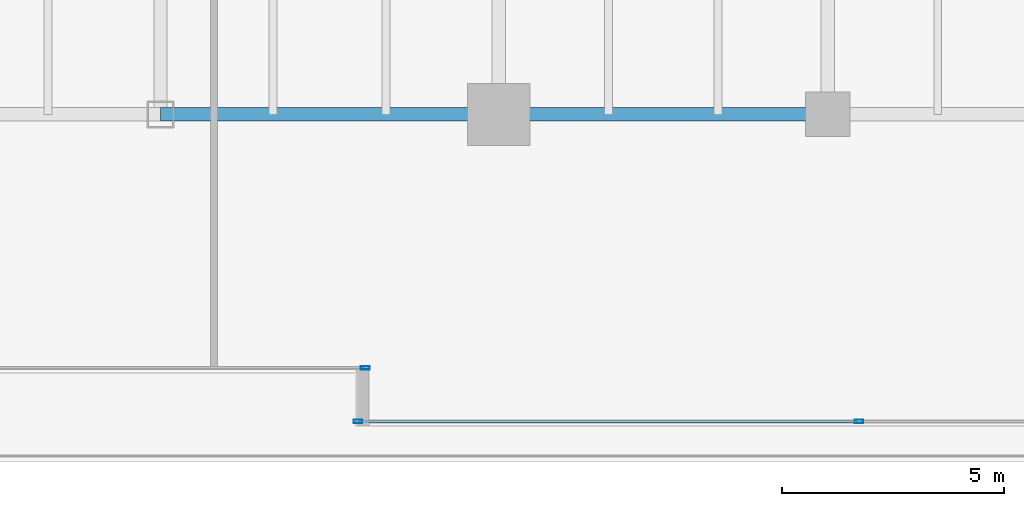
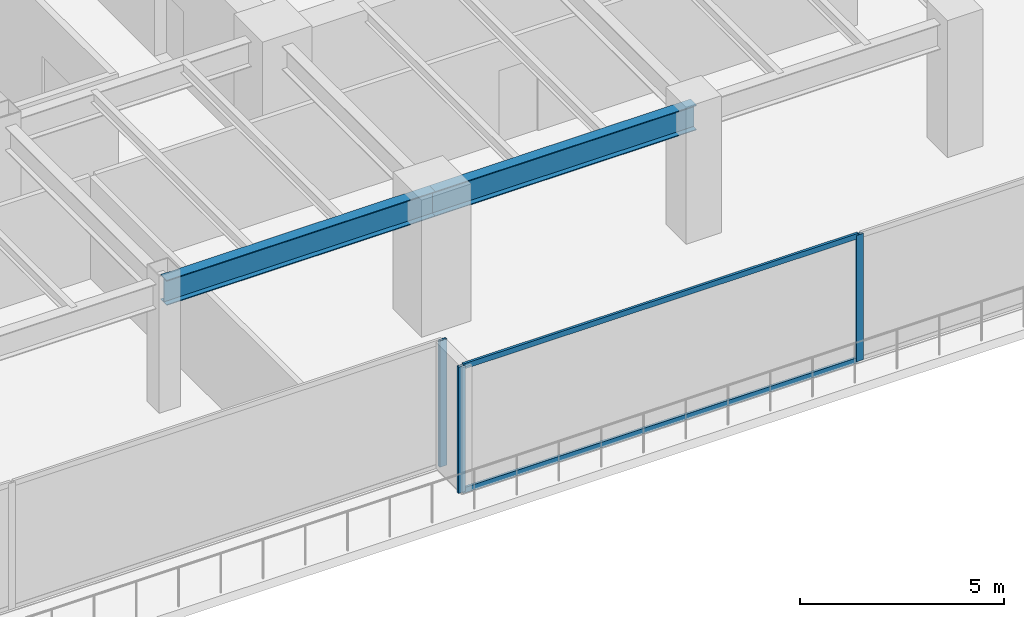
# One storey, part 10 of 36: 5 members, 2 beams, 2 elements without a shape of their own.
"""IFC4 building model written with IfcOpenShell, lengths in metres."""

from ifc_helpers import new_model, si_unit, direction, frame, origin, origin_2d, place, context, subcontext, project, spatial, hollow_rectangle, i_section, extrude, source, transform, mapped, material, layer, layer_set, material_profile, profile_set, type_object, type_shapes, element, aggregate, save


model = new_model("IFC4")

# Units and contexts
model_context = context("Model", 3, precision=1e-05, world=origin(), true_north=direction((0.0, 1.0)))
body_context = subcontext(model_context, "Body", "Model", "MODEL_VIEW")
ifc_project = project(units=[si_unit("LENGTHUNIT", "METRE"), si_unit("AREAUNIT", "SQUARE_METRE"), si_unit("VOLUMEUNIT", "CUBIC_METRE"), si_unit("PLANEANGLEUNIT", "RADIAN"), si_unit("MASSUNIT", "GRAM", prefix="KILO")], contexts=[model_context])

# Site, building, storey
site_placement = place(None, origin())
site = spatial("IfcSite", under=ifc_project, at=site_placement, CompositionType="ELEMENT")
building_placement = place(site_placement, origin())
building = spatial("IfcBuilding", under=site, at=building_placement, Name="Haelvirn Gate Laboratories", CompositionType="ELEMENT")
storey_placement = place(building_placement, frame((0.0, 0.0, 25.199951171875)))
storey = spatial("IfcBuildingStorey", under=building, at=storey_placement, Name="L06", CompositionType="ELEMENT", Elevation=25.199951171875)

# Beams
ifc_material_1 = material(Name="Steel SM355", Category="steel")
ifc_material_profile_1 = material_profile(ifc_material_1, i_section(OverallWidth=0.300048828125, OverallDepth=0.75, WebThickness=0.013916015625, FlangeThickness=0.02392578125, at=origin_2d()), Name="H-750x300x14x24")
ifc_profile_set_1 = profile_set([ifc_material_profile_1], Name="Steel SM355")
beam_type = type_object("IfcBeamType", Name="BM-G-750", PredefinedType="BEAM", material=ifc_profile_set_1)
shared_shape_1 = source(origin(), body_context, "Body", "SweptSolid", [
    extrude(i_section(OverallWidth=0.300048828125, OverallDepth=0.75, WebThickness=0.013916015625, FlangeThickness=0.02392578125, at=origin_2d()), origin(), (0.0, 0.0, 1.0), 7.39990234375),
])
beam_1_placement = place(storey_placement, frame((52.60009765625, 7.0, 3.405029296875), z_axis=(1.0, 0.0, 0.0), x_axis=(0.0, 1.0, 0.0)))
element("IfcBeam", 1, at=beam_1_placement, inside=storey, type_object=beam_type, Name="L06 Primary Girder Y7.0 (52.6-60.0)", PredefinedType="BEAM", context=body_context, shape_type="MappedRepresentation", body=[
    mapped(shared_shape_1, transform((0.0, 0.0, 0.0), scale=1.0)),
])
shared_shape_2 = source(origin(), body_context, "Body", "SweptSolid", [
    extrude(i_section(OverallWidth=0.300048828125, OverallDepth=0.75, WebThickness=0.013916015625, FlangeThickness=0.02392578125, at=origin_2d()), origin(), (0.0, 0.0, 1.0), 7.60009765625),
])
type_shapes(beam_type, [shared_shape_1, shared_shape_2])
beam_2_placement = place(storey_placement, frame((45.0, 7.0, 3.405029296875), z_axis=(1.0, 0.0, 0.0), x_axis=(0.0, 1.0, 0.0)))
element("IfcBeam", 2, at=beam_2_placement, inside=storey, type_object=beam_type, Name="L06 Primary Girder Y7.0 (45.0-52.6)", PredefinedType="BEAM", context=body_context, shape_type="MappedRepresentation", body=[
    mapped(shared_shape_2, transform((0.0, 0.0, 0.0), scale=1.0)),
])

# Curtain wall, member
ifc_material_2 = material(Name="Anodised bronze unitised aluminium & triple low-E glass", Category="aluminium")
ifc_layer = layer(ifc_material_2, 0.18408203125, Name="CW-SYS-2")
ifc_layer_set = layer_set([ifc_layer], Name="Anodised bronze unitised aluminium & triple low-E glass")
curtain_wall_type = type_object("IfcCurtainWallType", Name="CW-SYS-2", PredefinedType="NOTDEFINED", material=ifc_layer_set)
curtain_wall_1_placement = place(storey_placement, origin())
curtain_wall_1 = element("IfcCurtainWall", 3, at=curtain_wall_1_placement, inside=storey, type_object=curtain_wall_type, Name="L06 Unitised Curtain Wall CW-L06-P0-E02-1", PredefinedType="NOTDEFINED")
ifc_material_3 = material(Name="Extruded aluminium 6063-T6 (anodised bronze)", Category="aluminium")
ifc_material_profile_2 = material_profile(ifc_material_3, hollow_rectangle(XDim=0.074951171875, YDim=0.199951171875, WallThickness=0.0048828125, at=origin_2d()), Name="CWM-200x75x5")
ifc_profile_set_2 = profile_set([ifc_material_profile_2], Name="Extruded aluminium 6063-T6 (anodised bronze)")
member_type_1 = type_object("IfcMemberType", Name="CWM-T200", PredefinedType="MULLION", material=ifc_profile_set_2)
shared_shape_3 = source(origin(), body_context, "Body", "SweptSolid", [
    extrude(hollow_rectangle(XDim=0.074951171875, YDim=0.199951171875, WallThickness=0.0048828125, at=origin_2d()), origin(), (0.0, 0.0, 1.0), 3.780029296875),
])
type_shapes(member_type_1, [shared_shape_3])
member_1_placement = place(storey_placement, frame((49.6025390625, 1.300048828125, 0.0), z_axis=(0.0, 0.0, 1.0), x_axis=(0.0, 1.0, 0.0)))
member_1 = element("IfcMember", 4, at=member_1_placement, type_object=member_type_1, Name="CW2 mullion 3", PredefinedType="MULLION", context=body_context, shape_type="MappedRepresentation", body=[
    mapped(shared_shape_3, transform((0.0, 0.0, 0.0), scale=1.0)),
])
aggregate(curtain_wall_1, [member_1])

# Curtain wall, members
curtain_wall_2_placement = place(storey_placement, origin())
curtain_wall_2 = element("IfcCurtainWall", 5, at=curtain_wall_2_placement, inside=storey, type_object=curtain_wall_type, Name="L06 Unitised Curtain Wall CW-L06-P0-E04-1", PredefinedType="NOTDEFINED")
member_2_placement = place(storey_placement, frame((49.4375, 0.10009765625, 0.0), z_axis=(0.0, 0.0, 1.0), x_axis=(0.0, 1.0, 0.0)))
member_2 = element("IfcMember", 6, at=member_2_placement, type_object=member_type_1, Name="CW2 mullion 1", PredefinedType="MULLION", context=body_context, shape_type="MappedRepresentation", body=[
    mapped(shared_shape_3, transform((0.0, 0.0, 0.0), scale=1.0)),
])
member_3_placement = place(storey_placement, frame((60.699951171875, 0.10009765625, 0.0), z_axis=(0.0, 0.0, 1.0), x_axis=(0.0, 1.0, 0.0)))
member_3 = element("IfcMember", 7, at=member_3_placement, type_object=member_type_1, Name="CW2 mullion 2", PredefinedType="MULLION", context=body_context, shape_type="MappedRepresentation", body=[
    mapped(shared_shape_3, transform((0.0, 0.0, 0.0), scale=1.0)),
])
ifc_material_profile_3 = material_profile(ifc_material_3, hollow_rectangle(XDim=0.070068359375, YDim=0.159912109375, WallThickness=0.0048828125, at=origin_2d()), Name="CWT-160x70x5")
ifc_profile_set_3 = profile_set([ifc_material_profile_3], Name="Extruded aluminium 6063-T6 (anodised bronze)")
member_type_2 = type_object("IfcMemberType", Name="CWT-T160", PredefinedType="USERDEFINED", material=ifc_profile_set_3)
shared_shape_4 = source(origin(), body_context, "Body", "SweptSolid", [
    extrude(hollow_rectangle(XDim=0.070068359375, YDim=0.159912109375, WallThickness=0.0048828125, at=origin_2d()), origin(), (0.0, 0.0, 1.0), 11.1875),
])
type_shapes(member_type_2, [shared_shape_4])
member_4_placement = place(storey_placement, frame((49.47509765625, 0.10009765625, 0.03515625), z_axis=(1.0, 0.0, 0.0), x_axis=(0.0, 1.0, 0.0)))
member_4 = element("IfcMember", 8, at=member_4_placement, type_object=member_type_2, Name="CW2 transom 1.1", ObjectType="TRANSOM", PredefinedType="USERDEFINED", context=body_context, shape_type="MappedRepresentation", body=[
    mapped(shared_shape_4, transform((0.0, 0.0, 0.0), scale=1.0)),
])
member_5_placement = place(storey_placement, frame((49.47509765625, 0.10009765625, 3.7451171875), z_axis=(1.0, 0.0, 0.0), x_axis=(0.0, 1.0, 0.0)))
member_5 = element("IfcMember", 9, at=member_5_placement, type_object=member_type_2, Name="CW2 transom 1.2", ObjectType="TRANSOM", PredefinedType="USERDEFINED", context=body_context, shape_type="MappedRepresentation", body=[
    mapped(shared_shape_4, transform((0.0, 0.0, 0.0), scale=1.0)),
])
aggregate(curtain_wall_2, [member_2, member_3, member_4, member_5])

save(model, "model.ifc")
